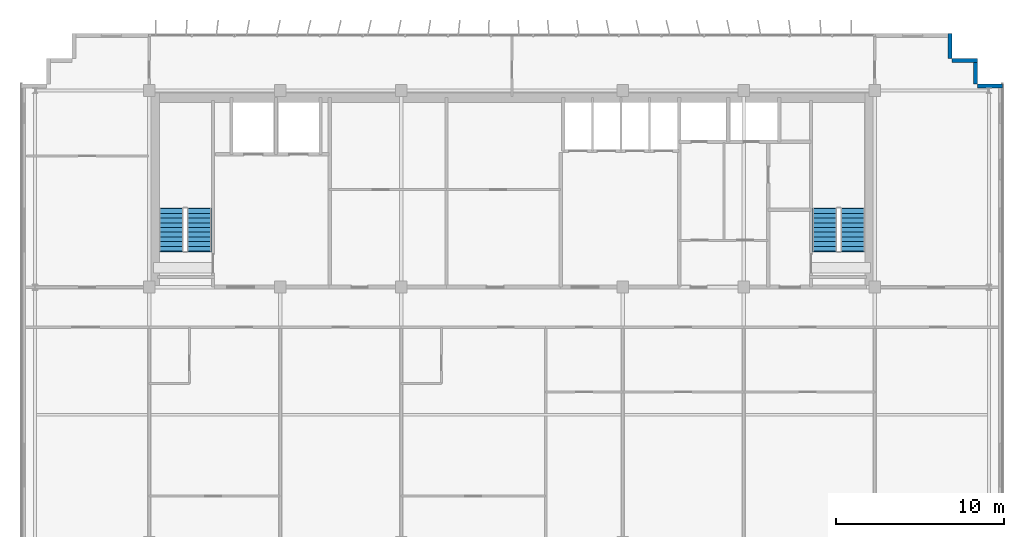
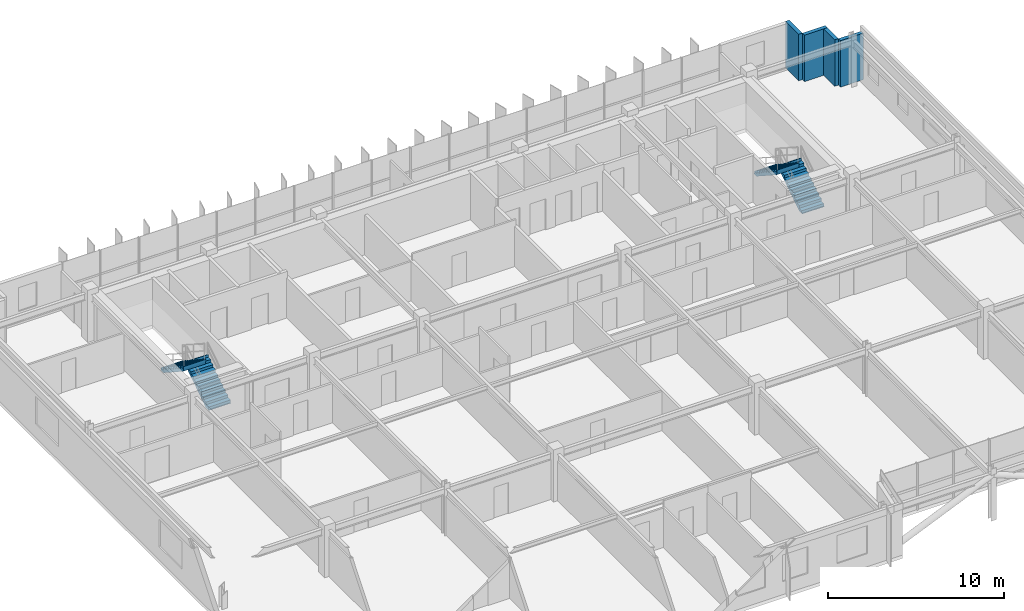
# One storey, part 25 of 27: 4 stair flights, 4 walls, 2 elements without a shape of their own.
"""IFC4 building model written with IfcOpenShell, lengths in metres."""

from ifc_helpers import new_model, si_unit, direction, frame, frame_2d, origin, place, context, subcontext, project, spatial, polyline, rectangle, outline, extrude, source, transform, mapped, material, layer, layer_set, type_object, element, aggregate, save


model = new_model("IFC4")

# Units and contexts
model_context = context("Model", 3, precision=1e-05, world=origin(), true_north=direction((0.0, 1.0)))
body_context = subcontext(model_context, "Body", "Model", "MODEL_VIEW")
ifc_project = project(units=[si_unit("LENGTHUNIT", "METRE"), si_unit("AREAUNIT", "SQUARE_METRE"), si_unit("VOLUMEUNIT", "CUBIC_METRE"), si_unit("PLANEANGLEUNIT", "RADIAN"), si_unit("MASSUNIT", "GRAM", prefix="KILO")], contexts=[model_context])

# Site, building, storey
site_placement = place(None, origin())
site = spatial("IfcSite", under=ifc_project, at=site_placement, CompositionType="ELEMENT")
building_placement = place(site_placement, origin())
building = spatial("IfcBuilding", under=site, at=building_placement, Name="Trelvane Seafront Commons", CompositionType="ELEMENT")
storey_placement = place(building_placement, frame((0.0, 0.0, 237.300048828125)))
storey = spatial("IfcBuildingStorey", under=building, at=storey_placement, Name="L62", CompositionType="ELEMENT", Elevation=237.300048828125)

# Walls
ifc_material_1 = material(Name="Precast concrete C40/50", Category="concrete")
ifc_layer = layer(ifc_material_1, 0.239990234375, Name="ARCH-WALL-EXT240")
ifc_layer_set = layer_set([ifc_layer], Name="Precast concrete C40/50")
wall_type = type_object("IfcWallType", Name="ARCH-WALL-EXT240", PredefinedType="SOLIDWALL", material=ifc_layer_set)
for number, where, z_axis, x_axis, name in (
    (1, (63.280029296875, 48.5, 0.0), (0.0, 0.0, 1.0), (0.0, -1.0, 0.0), "EW-L62-01263"),
    (2, (63.39990234375, 46.8798828125, 0.0), (0.0, 0.0, 1.0), (1.0, 0.0, 0.0), "EW-L62-01264"),
    (3, (64.780029296875, 47.0, 0.0), (0.0, 0.0, 1.0), (0.0, -1.0, 0.0), "EW-L62-01265"),
    (4, (64.89990234375, 45.3798828125, 0.0), (0.0, 0.0, 1.0), (1.0, 0.0, 0.0), "EW-L62-01266"),
):
    element("IfcWall", number, at=place(storey_placement, frame(where, z_axis=z_axis, x_axis=x_axis)), inside=storey, type_object=wall_type, Name=name, PredefinedType="SOLIDWALL", context=body_context, shape_type="SweptSolid", body=[
        extrude(rectangle(XDim=1.5, YDim=0.239990234375, at=frame_2d((0.75, 0.0))), origin(), (0.0, 0.0, 1.0), 3.219970703125),
    ])

# Stair, stair flights
ifc_material_2 = material(Name="Concrete C40/50", Category="concrete")
stair_type_1 = type_object("IfcStairType", Name="ARCH-STR-ST-1-R20-180", PredefinedType="HALF_TURN_STAIR", material=ifc_material_2)
stair_1_placement = place(storey_placement, origin())
stair_1 = element("IfcStair", 5, at=stair_1_placement, inside=storey, type_object=stair_type_1, Name="L62 West Protected Firefighting Exit Stair ST-1", PredefinedType="HALF_TURN_STAIR")
stair_flight_type_1 = type_object("IfcStairFlightType", Name="ARCH-FLG-ST-1-R20-180", PredefinedType="STRAIGHT", material=ifc_material_2)
shared_shape = source(origin(), body_context, "Body", "SweptSolid", [
    extrude(outline(polyline([(-0.050048828125, -0.02001953125), (-0.050048828125, 0.0), (0.0, 0.0), (0.0, 0.179931640625), (0.280029296875, 0.179931640625), (0.280029296875, 0.360107421875), (0.56005859375, 0.360107421875), (0.56005859375, 0.5400390625), (0.840087890625, 0.5400390625), (0.840087890625, 0.719970703125), (1.1201171875, 0.719970703125), (1.1201171875, 0.89990234375), (1.39990234375, 0.89990234375), (1.39990234375, 1.080078125), (1.679931640625, 1.080078125), (1.679931640625, 1.260009765625), (1.9599609375, 1.260009765625), (1.9599609375, 1.43994140625), (2.239990234375, 1.43994140625), (2.239990234375, 1.6201171875), (2.52001953125, 1.6201171875), (2.52001953125, 1.800048828125), (2.570068359375, 1.800048828125), (2.570068359375, 1.650146484375), (2.52001953125, 1.44189453125), (0.277099609375, -0.02001953125), (-0.050048828125, -0.02001953125)])), frame((0.0, 0.72509765625, 0.0), z_axis=(0.0, -1.0, 0.0), x_axis=(1.0, 0.0, 0.0)), (0.0, 0.0, 1.0), 1.449951171875),
])
stair_flight_1_placement = place(storey_placement, frame((18.574951171875, 35.550048828125, 0.0), z_axis=(0.0, 0.0, 1.0), x_axis=(0.0, 1.0, 0.0)))
stair_flight_1 = element("IfcStairFlight", 6, at=stair_flight_1_placement, type_object=stair_flight_type_1, Name="ST-1 flight 1", NumberOfRisers=10, NumberOfTreads=9, PredefinedType="STRAIGHT", RiserHeight=0.18, TreadLength=0.28, context=body_context, shape_type="MappedRepresentation", body=[
    mapped(shared_shape, transform((0.0, 0.0, 0.0), x_axis=(1.0, 0.0, 0.0), y_axis=(0.0, 1.0, 0.0), z_axis=(0.0, 0.0, 1.0), scale=1.0)),
])
stair_flight_2_placement = place(storey_placement, frame((16.925048828125, 38.070068359375, 1.800048828125), z_axis=(0.0, 0.0, 1.0), x_axis=(0.0, -1.0, 0.0)))
stair_flight_2 = element("IfcStairFlight", 7, at=stair_flight_2_placement, type_object=stair_flight_type_1, Name="ST-1 flight 2", NumberOfRisers=10, NumberOfTreads=9, PredefinedType="STRAIGHT", RiserHeight=0.18, TreadLength=0.28, context=body_context, shape_type="MappedRepresentation", body=[
    mapped(shared_shape, transform((0.0, 0.0, 0.0), x_axis=(1.0, 0.0, 0.0), y_axis=(0.0, 1.0, 0.0), z_axis=(0.0, 0.0, 1.0), scale=1.0)),
])
aggregate(stair_1, [stair_flight_1, stair_flight_2])

stair_type_2 = type_object("IfcStairType", Name="ARCH-STR-ST-2-R20-180", PredefinedType="HALF_TURN_STAIR", material=ifc_material_2)
stair_2_placement = place(storey_placement, origin())
stair_2 = element("IfcStair", 8, at=stair_2_placement, inside=storey, type_object=stair_type_2, Name="L62 East Protected Firefighting Exit Stair ST-2", PredefinedType="HALF_TURN_STAIR")
stair_flight_type_2 = type_object("IfcStairFlightType", Name="ARCH-FLG-ST-2-R20-180", PredefinedType="STRAIGHT", material=ifc_material_2)
stair_flight_3_placement = place(storey_placement, frame((57.47509765625, 35.550048828125, 0.0), z_axis=(0.0, 0.0, 1.0), x_axis=(0.0, 1.0, 0.0)))
stair_flight_3 = element("IfcStairFlight", 9, at=stair_flight_3_placement, type_object=stair_flight_type_2, Name="ST-2 flight 1", NumberOfRisers=10, NumberOfTreads=9, PredefinedType="STRAIGHT", RiserHeight=0.18, TreadLength=0.28, context=body_context, shape_type="MappedRepresentation", body=[
    mapped(shared_shape, transform((0.0, 0.0, 0.0), x_axis=(1.0, 0.0, 0.0), y_axis=(0.0, 1.0, 0.0), z_axis=(0.0, 0.0, 1.0), scale=1.0)),
])
stair_flight_4_placement = place(storey_placement, frame((55.824951171875, 38.070068359375, 1.800048828125), z_axis=(0.0, 0.0, 1.0), x_axis=(0.0, -1.0, 0.0)))
stair_flight_4 = element("IfcStairFlight", 10, at=stair_flight_4_placement, type_object=stair_flight_type_2, Name="ST-2 flight 2", NumberOfRisers=10, NumberOfTreads=9, PredefinedType="STRAIGHT", RiserHeight=0.18, TreadLength=0.28, context=body_context, shape_type="MappedRepresentation", body=[
    mapped(shared_shape, transform((0.0, 0.0, 0.0), x_axis=(1.0, 0.0, 0.0), y_axis=(0.0, 1.0, 0.0), z_axis=(0.0, 0.0, 1.0), scale=1.0)),
])
aggregate(stair_2, [stair_flight_3, stair_flight_4])

save(model, "model.ifc")
